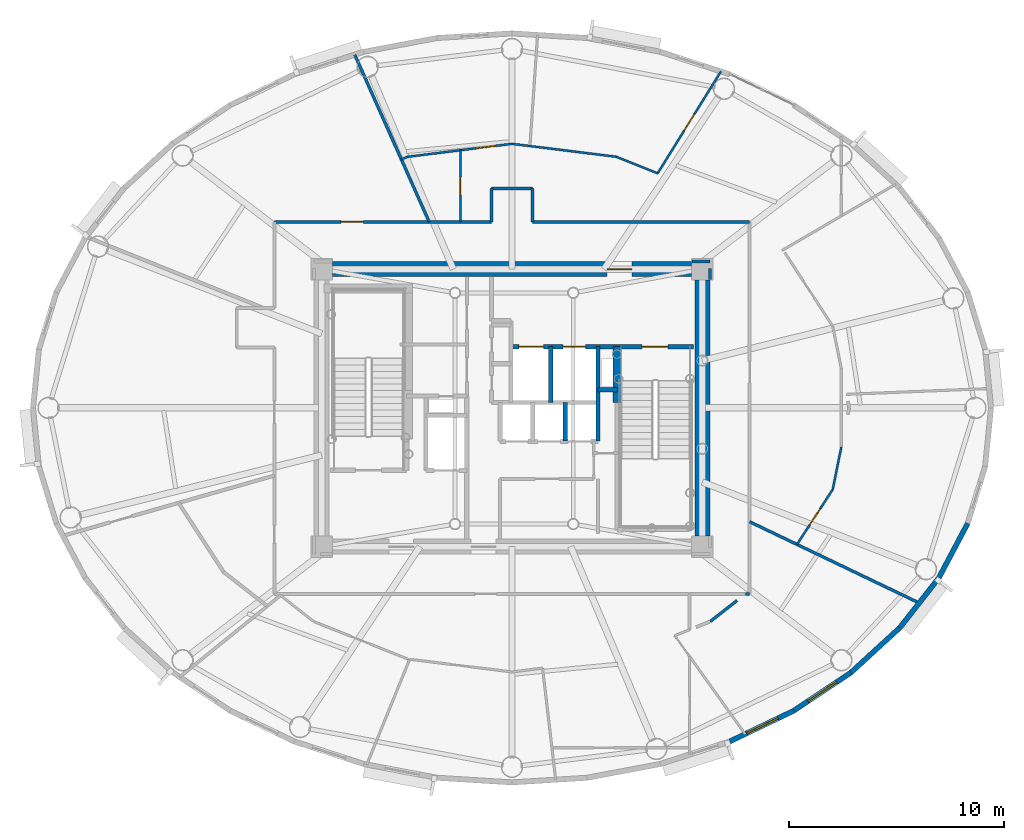
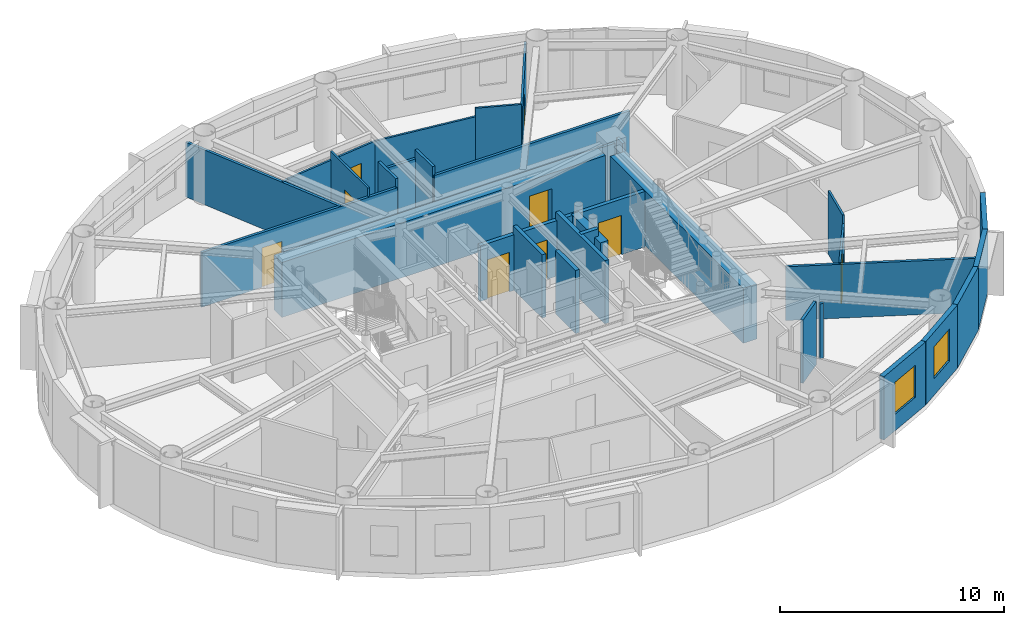
# One storey, part 9 of 17: 32 walls, 9 doors, 2 windows, 11 openings.
"""IFC4 building model written with IfcOpenShell, lengths in metres."""

import ifcopenshell
import ifcopenshell.guid

model = None  # the IFC model being written
_history = None  # IfcOwnerHistory: only IFC2X3 demands one
_inside = {}  # id of a spatial element -> (the spatial element, [elements in it])
_under = {}  # id of a project, library or spatial element -> (it, [spatial elements below it])
_declared = {}  # id of a project -> (the project, [libraries it declares])
_typed = {}  # id of a type object -> (the type object, [elements of that type])
_made_of = {}  # id of a material, layer set ... -> (it, [elements and type objects made of it])


def new_model(schema):
    """Start an empty IFC model of exactly this schema.

    Asked for "IFC4X3", IfcOpenShell would pick the latest addendum, in which some entities
    have other attributes; the version numbers below select the first issue.
    IFC2X3 requires an IfcOwnerHistory on every rooted entity: one is made here for all.
    """
    global model, _history
    if schema == "IFC4X3":
        model = ifcopenshell.file(schema_version=(4, 3, 0, 0))
    else:
        model = ifcopenshell.file(schema=schema)
    _inside.clear()
    _under.clear()
    _declared.clear()
    _typed.clear()
    _made_of.clear()
    _history = None
    if model.schema == "IFC2X3":
        org = make("IfcOrganization", Name="unknown")
        user = make(
            "IfcPersonAndOrganization",
            ThePerson=make("IfcPerson", FamilyName="unknown"),
            TheOrganization=org,
        )
        app = make(
            "IfcApplication",
            ApplicationDeveloper=org,
            Version="unknown",
            ApplicationFullName="unknown",
            ApplicationIdentifier="unknown",
        )
        _history = make(
            "IfcOwnerHistory",
            OwningUser=user,
            OwningApplication=app,
            ChangeAction="ADDED",
            CreationDate=0,
        )
    return model


def make(cls, **values):
    """One entity of the class cls with the attributes given. An attribute that is None is left unset."""
    return model.create_entity(
        cls, **{name: value for name, value in values.items() if value is not None}
    )


def rooted(cls, **values):
    """An entity with a GlobalId (a new one), such as an element, a storey or a relation."""
    return make(cls, GlobalId=ifcopenshell.guid.new(), OwnerHistory=_history, **values)


def si_unit(unit_type, name, prefix=None):
    """IfcSIUnit, for example si_unit("LENGTHUNIT", "METRE", prefix="MILLI")."""
    return make("IfcSIUnit", UnitType=unit_type, Prefix=prefix, Name=name)


def assignment(units):
    """IfcUnitAssignment: the units of a project."""
    return None if units is None else make("IfcUnitAssignment", Units=units)


def point(xyz):
    """IfcCartesianPoint."""
    return None if xyz is None else make("IfcCartesianPoint", Coordinates=xyz)


def direction(xyz):
    """IfcDirection."""
    return None if xyz is None else make("IfcDirection", DirectionRatios=xyz)


def frame(location, z_axis=None, x_axis=None):
    """IfcAxis2Placement3D, a coordinate frame: its origin and axes. An axis left out is left unset."""
    return make(
        "IfcAxis2Placement3D",
        Location=point(location),
        Axis=direction(z_axis),
        RefDirection=direction(x_axis),
    )


def frame_2d(location, x_axis=None):
    """IfcAxis2Placement2D, a coordinate frame in the plane: its origin and x axis."""
    return make(
        "IfcAxis2Placement2D", Location=point(location), RefDirection=direction(x_axis)
    )


def origin():
    """The frame at (0, 0, 0) with its axes left unset."""
    return frame((0.0, 0.0, 0.0))


def origin_2d():
    """The frame at (0, 0) in the plane with its x axis left unset."""
    return frame_2d((0.0, 0.0))


def place(relative_to, where):
    """IfcLocalPlacement: puts the frame where relative to a parent placement (None: the world)."""
    return make(
        "IfcLocalPlacement", PlacementRelTo=relative_to, RelativePlacement=where
    )


def context(
    kind, dimensions, precision=None, world=None, true_north=None, identifier=None
):
    """IfcGeometricRepresentationContext, for example the 3D "Model" context."""
    return make(
        "IfcGeometricRepresentationContext",
        ContextIdentifier=identifier,
        ContextType=kind,
        CoordinateSpaceDimension=dimensions,
        Precision=precision,
        WorldCoordinateSystem=world,
        TrueNorth=true_north,
    )


def subcontext(parent, identifier, kind, view, scale=None):
    """IfcGeometricRepresentationSubContext, for example "Body" below "Model"."""
    return make(
        "IfcGeometricRepresentationSubContext",
        ContextIdentifier=identifier,
        ContextType=kind,
        ParentContext=parent,
        TargetScale=scale,
        TargetView=view,
    )


def project(units=None, contexts=None):
    """IfcProject with its units and contexts."""
    return rooted(
        "IfcProject",
        Name="project",
        RepresentationContexts=contexts,
        UnitsInContext=assignment(units),
    )


def spatial(cls, under=None, at=None, **own):
    """A site, building, storey or space (cls), placed at a placement, below another one or the project."""
    s = rooted(cls, ObjectPlacement=at, **own)
    if under is not None:
        _under.setdefault(under.id(), (under, []))[1].append(s)
    return s


def profile(cls, at=None, kind="AREA", **sizes):
    """A parametric profile (cls). Its sizes go by their IFC names, for example OverallWidth=200.0."""
    return make(cls, ProfileType=kind, Position=at, **sizes)


def rectangle(**sizes):
    """IfcRectangleProfileDef."""
    return profile("IfcRectangleProfileDef", **sizes)


def extrude(swept, where, along, depth):
    """IfcExtrudedAreaSolid: the profile swept, set in the frame where, extruded along a direction by depth."""
    return make(
        "IfcExtrudedAreaSolid",
        SweptArea=swept,
        Position=where,
        ExtrudedDirection=direction(along),
        Depth=depth,
    )


def shape(context_of_items, identifier, shape_type, items):
    """IfcShapeRepresentation: the items that make up one representation, for example the "Body"."""
    return make(
        "IfcShapeRepresentation",
        ContextOfItems=context_of_items,
        RepresentationIdentifier=identifier,
        RepresentationType=shape_type,
        Items=items,
    )


def source(mapping_origin, context_of_items, identifier, shape_type, items):
    """IfcRepresentationMap: a shape defined once, which mapped items show again and again."""
    return make(
        "IfcRepresentationMap",
        MappingOrigin=mapping_origin,
        MappedRepresentation=shape(context_of_items, identifier, shape_type, items),
    )


def transform(
    local_origin,
    x_axis=None,
    y_axis=None,
    z_axis=None,
    scale=None,
    scale2=None,
    scale3=None,
    uniform=True,
):
    """IfcCartesianTransformationOperator3D, or its non-uniform kind. x_axis, y_axis, z_axis: its Axis1, 2, 3."""
    if uniform:
        return make(
            "IfcCartesianTransformationOperator3D",
            Axis1=direction(x_axis),
            Axis2=direction(y_axis),
            LocalOrigin=point(local_origin),
            Scale=scale,
            Axis3=direction(z_axis),
        )
    return make(
        "IfcCartesianTransformationOperator3DnonUniform",
        Axis1=direction(x_axis),
        Axis2=direction(y_axis),
        LocalOrigin=point(local_origin),
        Scale=scale,
        Axis3=direction(z_axis),
        Scale2=scale2,
        Scale3=scale3,
    )


def mapped(mapping_source, mapping_target):
    """IfcMappedItem: shows the shape of a source again, moved by a transform."""
    return make(
        "IfcMappedItem", MappingSource=mapping_source, MappingTarget=mapping_target
    )


def material(Name=None, Category=None):
    """IfcMaterial."""
    return make("IfcMaterial", Name=Name, Category=Category)


def layer(
    of_material, thickness, ventilated=None, Name=None, Category=None, Priority=None
):
    """IfcMaterialLayer: one layer of a wall or slab, of a material (None: an air gap)."""
    return make(
        "IfcMaterialLayer",
        Material=of_material,
        LayerThickness=thickness,
        IsVentilated=ventilated,
        Name=Name,
        Category=Category,
        Priority=Priority,
    )


def layer_set(layers, Name=None):
    """IfcMaterialLayerSet."""
    return make("IfcMaterialLayerSet", MaterialLayers=layers, LayerSetName=Name)


def made_of(thing, what):
    """Note that an element or type object is made of a material, layer set ...; save() writes the relation."""
    if what is not None:
        _made_of.setdefault(what.id(), (what, []))[1].append(thing)
    return thing


def type_object(cls, material=None, **own):
    """A type object (cls), such as IfcWallType, which elements share."""
    return made_of(rooted(cls, **own), material)


def element(
    cls,
    number,
    at=None,
    inside=None,
    cuts=None,
    type_object=None,
    material=None,
    context=None,
    identifier="Body",
    shape_type=None,
    held_by="IfcProductDefinitionShape",
    body=None,
    shapes=None,
    **own,
):
    """One element of the class cls, such as IfcWall. Its Tag is "e" and its number.

    at: its placement. inside: the storey or other place that contains it. cuts: it is an
    opening in that element (IfcRelVoidsElement). A single representation is given by context,
    identifier, shape_type and body (its items); several are given by shapes. held_by: the class
    of the entity that holds the representations. save() writes the other relations.
    """
    e = rooted(cls, Tag="e%d" % number, ObjectPlacement=at, **own)
    if body is not None:
        shapes = [shape(context, identifier, shape_type, body)]
    if shapes is not None:
        e.Representation = make(held_by, Representations=shapes)
    if inside is not None:
        _inside.setdefault(inside.id(), (inside, []))[1].append(e)
    if cuts is not None:
        rooted(
            "IfcRelVoidsElement", RelatingBuildingElement=cuts, RelatedOpeningElement=e
        )
    if type_object is not None:
        _typed.setdefault(type_object.id(), (type_object, []))[1].append(e)
    return made_of(e, material)


def fill(opening, filler):
    """IfcRelFillsElement: the door or window that sits in an opening."""
    return rooted(
        "IfcRelFillsElement",
        RelatingOpeningElement=opening,
        RelatedBuildingElement=filler,
    )


def aggregate(whole, parts):
    """IfcRelAggregates: a whole, such as a stair, and the parts it consists of."""
    return rooted("IfcRelAggregates", RelatingObject=whole, RelatedObjects=parts)


def save(model, path):
    """Write the relations noted so far, then the file.

    IfcRelAggregates (storeys below a building ...), IfcRelContainedInSpatialStructure (elements
    in a storey), IfcRelDefinesByType, IfcRelAssociatesMaterial and IfcRelDeclares: one each for
    every whole, place, type object, material and project.
    """
    for whole, parts in _under.values():
        aggregate(whole, parts)
    for where, things in _inside.values():
        rooted(
            "IfcRelContainedInSpatialStructure",
            RelatedElements=things,
            RelatingStructure=where,
        )
    for kind, things in _typed.values():
        rooted("IfcRelDefinesByType", RelatedObjects=things, RelatingType=kind)
    for what, things in _made_of.values():
        rooted("IfcRelAssociatesMaterial", RelatedObjects=things, RelatingMaterial=what)
    for by, libraries in _declared.values():
        rooted("IfcRelDeclares", RelatingContext=by, RelatedDefinitions=libraries)
    model.write(path)


model = new_model("IFC4")

# Units and contexts
model_context = context("Model", 3, precision=1e-05, world=origin(), true_north=direction((0.0, 1.0)))
body_context = subcontext(model_context, "Body", "Model", "MODEL_VIEW")
ifc_project = project(units=[si_unit("LENGTHUNIT", "METRE"), si_unit("AREAUNIT", "SQUARE_METRE"), si_unit("VOLUMEUNIT", "CUBIC_METRE"), si_unit("PLANEANGLEUNIT", "RADIAN"), si_unit("MASSUNIT", "GRAM", prefix="KILO")], contexts=[model_context])

# Site, building, storey
site_placement = place(None, origin())
site = spatial("IfcSite", under=ifc_project, at=site_placement, CompositionType="ELEMENT")
building_placement = place(site_placement, origin())
building = spatial("IfcBuilding", under=site, at=building_placement, Name="Linh Dai School and Residence Tower", CompositionType="ELEMENT")
storey_placement = place(building_placement, frame((0.0, 0.0, 314.25)))
storey = spatial("IfcBuildingStorey", under=building, at=storey_placement, Name="L78", CompositionType="ELEMENT", Elevation=314.25)

# Wall, opening, window
ifc_material_1 = material(Name="Precast Concrete B45 (C35/45)", Category="concrete")
ifc_layer_1 = layer(ifc_material_1, 0.239990234375)
ifc_layer_set_1 = layer_set([ifc_layer_1], Name="Precast Concrete B45 (C35/45)")
wall_type_1 = type_object("IfcWallType", Name="EW-TC-240", PredefinedType="SOLIDWALL", material=ifc_layer_set_1)
wall_1_placement = place(storey_placement, frame((49.1044921875, 12.91845703125, 0.0), z_axis=(0.0, 0.0, 1.0), x_axis=(-0.901573741254, -0.43262546051, 0.0)))
wall_1 = element("IfcWall", 1, at=wall_1_placement, inside=storey, type_object=wall_type_1, Name="L78 Terracotta Exterior Wall 34", PredefinedType="SOLIDWALL", context=body_context, shape_type="SweptSolid", body=[
    extrude(rectangle(XDim=3.306884765625, YDim=0.239990234375, at=frame_2d((1.6533203125, 0.0))), origin(), (0.0, 0.0, 1.0), 3.449951171875),
])
opening_1_placement = place(wall_1_placement, frame((0.81396484375, 0.0, 0.89990234375)))
opening_1 = element("IfcOpeningElement", 2, at=opening_1_placement, cuts=wall_1, Name="Opening W2", PredefinedType="OPENING", context=body_context, shape_type="SweptSolid", body=[
    extrude(rectangle(XDim=1.60009765625, YDim=1.75, at=origin_2d()), frame((0.800048828125, 0.1298828125, 0.875), z_axis=(0.0, -1.0, 0.0), x_axis=(1.0, 0.0, 0.0)), (0.0, 0.0, 1.0), 0.260009765625),
])
ifc_material_2 = material(Name="Double Low-E Insulated Glazing", Category="glass")
window_type = type_object("IfcWindowType", Name="WN-RES-1600x1750", PartitioningType="DOUBLE_PANEL_VERTICAL", PredefinedType="WINDOW", material=ifc_material_2)
shared_shape_1 = source(origin(), body_context, "Body", "SweptSolid", [
    extrude(rectangle(XDim=1.60009765625, YDim=1.75, at=origin_2d()), frame((0.800048828125, 0.030029296875, 0.875), z_axis=(0.0, -1.0, 0.0), x_axis=(1.0, 0.0, 0.0)), (0.0, 0.0, 1.0), 0.06005859375),
])
window_1_placement = place(opening_1_placement, origin())
window_1 = element("IfcWindow", 3, at=window_1_placement, inside=storey, type_object=window_type, Name="L78 Exterior Window 34.1", OverallHeight=1.75, OverallWidth=1.60009765625, PartitioningType="DOUBLE_PANEL_VERTICAL", PredefinedType="WINDOW", context=body_context, shape_type="MappedRepresentation", body=[
    mapped(shared_shape_1, transform((0.0, 0.0, 0.0), x_axis=(1.0, 0.0, 0.0), y_axis=(0.0, 1.0, 0.0), z_axis=(0.0, 0.0, 1.0), scale=1.0)),
])
fill(opening_1, window_1)

wall_2_placement = place(storey_placement, frame((51.76220703125, 14.69580078125, 0.0), z_axis=(0.0, 0.0, 1.0), x_axis=(-0.831250592635, -0.55589787933, 0.0)))
wall_2 = element("IfcWall", 4, at=wall_2_placement, inside=storey, type_object=wall_type_1, Name="L78 Terracotta Exterior Wall 35", PredefinedType="SOLIDWALL", context=body_context, shape_type="SweptSolid", body=[
    extrude(rectangle(XDim=3.197265625, YDim=0.239990234375, at=frame_2d((1.5986328125, 0.0))), origin(), (0.0, 0.0, 1.0), 3.449951171875),
])
opening_2_placement = place(wall_2_placement, frame((0.798583984375, 0.0, 0.89990234375)))
opening_2 = element("IfcOpeningElement", 5, at=opening_2_placement, cuts=wall_2, Name="Opening W2", PredefinedType="OPENING", context=body_context, shape_type="SweptSolid", body=[
    extrude(rectangle(XDim=1.60009765625, YDim=1.75, at=origin_2d()), frame((0.800048828125, 0.1298828125, 0.875), z_axis=(0.0, -1.0, 0.0), x_axis=(1.0, 0.0, 0.0)), (0.0, 0.0, 1.0), 0.260009765625),
])
window_2_placement = place(opening_2_placement, origin())
window_2 = element("IfcWindow", 6, at=window_2_placement, inside=storey, type_object=window_type, Name="L78 Exterior Window 35.1", OverallHeight=1.75, OverallWidth=1.60009765625, PartitioningType="DOUBLE_PANEL_VERTICAL", PredefinedType="WINDOW", context=body_context, shape_type="MappedRepresentation", body=[
    mapped(shared_shape_1, transform((0.0, 0.0, 0.0), x_axis=(1.0, 0.0, 0.0), y_axis=(0.0, 1.0, 0.0), z_axis=(0.0, 0.0, 1.0), scale=1.0)),
])
fill(opening_2, window_2)

# Walls
wall_3_placement = place(storey_placement, frame((54.0302734375, 16.775390625, 0.0), z_axis=(0.0, 0.0, 1.0), x_axis=(-0.737068506972, -0.675818034703, 0.0)))
element("IfcWall", 7, at=wall_3_placement, inside=storey, type_object=wall_type_1, Name="L78 Terracotta Exterior Wall 36", PredefinedType="SOLIDWALL", context=body_context, shape_type="SweptSolid", body=[
    extrude(rectangle(XDim=3.0771484375, YDim=0.239990234375, at=frame_2d((1.53857421875, 0.0))), origin(), (0.0, 0.0, 1.0), 3.449951171875),
])
wall_4_placement = place(storey_placement, frame((55.853759765625, 19.105224609375, 0.0), z_axis=(0.0, 0.0, 1.0), x_axis=(-0.616337186556, -0.787482363275, 0.0)))
element("IfcWall", 8, at=wall_4_placement, inside=storey, type_object=wall_type_1, Name="L78 Terracotta Exterior Wall 37", PredefinedType="SOLIDWALL", context=body_context, shape_type="SweptSolid", body=[
    extrude(rectangle(XDim=2.95849609375, YDim=0.239990234375, at=frame_2d((1.479248046875, 0.0))), origin(), (0.0, 0.0, 1.0), 3.449951171875),
])
wall_5_placement = place(storey_placement, frame((57.188232421875, 21.627685546875, 0.0), z_axis=(0.0, 0.0, 1.0), x_axis=(-0.467628269026, -0.883925224218, 0.0)))
element("IfcWall", 9, at=wall_5_placement, inside=storey, type_object=wall_type_1, Name="L78 Terracotta Exterior Wall 38", PredefinedType="SOLIDWALL", context=body_context, shape_type="SweptSolid", body=[
    extrude(rectangle(XDim=2.853759765625, YDim=0.239990234375, at=frame_2d((1.4267578125, 0.0))), origin(), (0.0, 0.0, 1.0), 3.449951171875),
])

# Wall, opening, door
ifc_material_3 = material(Name="Autoclaved Aerated Concrete Blockwork", Category="masonry")
ifc_layer_2 = layer(ifc_material_3, 0.135009765625)
ifc_layer_set_2 = layer_set([ifc_layer_2], Name="Autoclaved Aerated Concrete Blockwork")
wall_type_2 = type_object("IfcWallType", Name="IW-CORR-135-EI90", PredefinedType="PARTITIONING", material=ifc_layer_set_2)
wall_6_placement = place(storey_placement, frame((24.949951171875, 35.64990234375, 0.0), z_axis=(0.0, 0.0, 1.0), x_axis=(1.0, 0.0, 0.0)))
wall_6 = element("IfcWall", 10, at=wall_6_placement, inside=storey, type_object=wall_type_2, Name="L78 Interior Partition Wall 012", PredefinedType="PARTITIONING", context=body_context, shape_type="SweptSolid", body=[
    extrude(rectangle(XDim=10.10009765625, YDim=0.135009765625, at=frame_2d((5.050048828125, 0.0))), origin(), (0.0, 0.0, 1.0), 2.985107421875),
])
opening_3_placement = place(wall_6_placement, frame((3.094482421875, 0.0, 0.0)))
opening_3 = element("IfcOpeningElement", 11, at=opening_3_placement, cuts=wall_6, Name="Opening D04", PredefinedType="OPENING", context=body_context, shape_type="SweptSolid", body=[
    extrude(rectangle(XDim=1.050048828125, YDim=2.14990234375, at=origin_2d()), frame((0.52490234375, 0.07763671875, 1.074951171875), z_axis=(0.0, -1.0, 0.0), x_axis=(1.0, 0.0, 0.0)), (0.0, 0.0, 1.0), 0.155029296875),
])
ifc_material_4 = material(Name="Acoustic Vision-Panel Timber Classroom Door", Category="wood")
door_type_1 = type_object("IfcDoorType", Name="DR-SCH-1050x2150-FD60S", OperationType="NOTDEFINED", PredefinedType="DOOR", material=ifc_material_4)
shared_shape_2 = source(origin(), body_context, "Body", "SweptSolid", [
    extrude(rectangle(XDim=1.050048828125, YDim=2.14990234375, at=origin_2d()), frame((0.52490234375, 0.02490234375, 1.074951171875), z_axis=(0.0, -1.0, 0.0), x_axis=(1.0, 0.0, 0.0)), (0.0, 0.0, 1.0), 0.050048828125),
])
door_1_placement = place(opening_3_placement, origin())
door_1 = element("IfcDoor", 12, at=door_1_placement, inside=storey, type_object=door_type_1, Name="L78 High-Zone Resident Gallery Door", OperationType="SINGLE_SWING_RIGHT", OverallHeight=2.14990234375, OverallWidth=1.050048828125, PredefinedType="DOOR", context=body_context, shape_type="MappedRepresentation", body=[
    mapped(shared_shape_2, transform((0.0, 0.0, 0.0), x_axis=(1.0, 0.0, 0.0), y_axis=(0.0, 1.0, 0.0), z_axis=(0.0, 0.0, 1.0), scale=1.0)),
])
fill(opening_3, door_1)

# Walls
wall_7_placement = place(storey_placement, frame((28.685546875, 43.428466796875, 0.0), z_axis=(0.0, 0.0, 1.0), x_axis=(0.406736980157, -0.913545307564, 0.0)))
element("IfcWall", 13, at=wall_7_placement, inside=storey, type_object=wall_type_2, Name="L78 Interior Partition Wall 016", PredefinedType="PARTITIONING", context=body_context, shape_type="SweptSolid", body=[
    extrude(rectangle(XDim=8.514404296875, YDim=0.135009765625, at=frame_2d((4.25732421875, 0.0))), origin(), (0.0, 0.0, 1.0), 2.985107421875),
])
wall_8_placement = place(storey_placement, frame((35.050048828125, 35.64990234375, 0.0), z_axis=(0.0, 0.0, 1.0), x_axis=(0.0, 1.0, 0.0)))
element("IfcWall", 14, at=wall_8_placement, inside=storey, type_object=wall_type_2, Name="L78 Interior Partition Wall 036", PredefinedType="PARTITIONING", context=body_context, shape_type="SweptSolid", body=[
    extrude(rectangle(XDim=1.550048828125, YDim=0.135009765625, at=frame_2d((0.77490234375, 0.0))), origin(), (0.0, 0.0, 1.0), 3.449951171875),
])
wall_9_placement = place(storey_placement, frame((35.050048828125, 37.199951171875, 0.0), z_axis=(0.0, 0.0, 1.0), x_axis=(1.0, 0.0, 0.0)))
element("IfcWall", 15, at=wall_9_placement, inside=storey, type_object=wall_type_2, Name="L78 Interior Partition Wall 037", PredefinedType="PARTITIONING", context=body_context, shape_type="SweptSolid", body=[
    extrude(rectangle(XDim=1.89990234375, YDim=0.135009765625, at=frame_2d((0.949951171875, 0.0))), origin(), (0.0, 0.0, 1.0), 2.985107421875),
])
wall_10_placement = place(storey_placement, frame((36.949951171875, 35.64990234375, 0.0), z_axis=(0.0, 0.0, 1.0), x_axis=(0.0, 1.0, 0.0)))
element("IfcWall", 16, at=wall_10_placement, inside=storey, type_object=wall_type_2, Name="L78 Interior Partition Wall 047", PredefinedType="PARTITIONING", context=body_context, shape_type="SweptSolid", body=[
    extrude(rectangle(XDim=1.550048828125, YDim=0.135009765625, at=frame_2d((0.77490234375, 0.0))), origin(), (0.0, 0.0, 1.0), 3.449951171875),
])
wall_11_placement = place(storey_placement, frame((36.949951171875, 35.64990234375, 0.0), z_axis=(0.0, 0.0, 1.0), x_axis=(1.0, 0.0, 0.0)))
element("IfcWall", 17, at=wall_11_placement, inside=storey, type_object=wall_type_2, Name="L78 Interior Partition Wall 048", PredefinedType="PARTITIONING", context=body_context, shape_type="SweptSolid", body=[
    extrude(rectangle(XDim=10.10009765625, YDim=0.135009765625, at=frame_2d((5.050048828125, 0.0))), origin(), (0.0, 0.0, 1.0), 2.985107421875),
])
wall_12_placement = place(storey_placement, frame((46.855224609375, 18.35009765625, 0.0), z_axis=(0.0, 0.0, 1.0), x_axis=(1.0, 0.0, 0.0)))
element("IfcWall", 18, at=wall_12_placement, inside=storey, type_object=wall_type_2, Name="L78 Interior Partition Wall 065", PredefinedType="PARTITIONING", context=body_context, shape_type="SweptSolid", body=[
    extrude(rectangle(XDim=0.19482421875, YDim=0.135009765625, at=frame_2d((0.097412109375, 0.0))), origin(), (0.0, 0.0, 1.0), 2.985107421875),
])
wall_13_placement = place(storey_placement, frame((47.050048828125, 21.7060546875, 0.0), z_axis=(0.0, 0.0, 1.0), x_axis=(0.901842087785, -0.432065792096, 0.0)))
element("IfcWall", 19, at=wall_13_placement, inside=storey, type_object=wall_type_2, Name="L78 Interior Partition Wall 067", PredefinedType="PARTITIONING", context=body_context, shape_type="SweptSolid", body=[
    extrude(rectangle(XDim=8.74658203125, YDim=0.135009765625, at=frame_2d((4.373291015625, 0.0))), origin(), (0.0, 0.0, 1.0), 2.93505859375),
])
wall_14_placement = place(storey_placement, frame((45.199951171875, 33.800048828125, 0.0), z_axis=(0.0, 0.0, 1.0), x_axis=(-1.0, 0.0, 0.0)))
element("IfcWall", 20, at=wall_14_placement, inside=storey, type_object=wall_type_2, Name="L78 Interior Partition Wall 078", PredefinedType="PARTITIONING", context=body_context, shape_type="SweptSolid", body=[
    extrude(rectangle(XDim=0.83984375, YDim=0.135009765625, at=frame_2d((0.419921875, 0.0))), origin(), (0.0, 0.0, 1.0), 2.985107421875),
])
wall_15_placement = place(storey_placement, frame((45.199951171875, 32.9599609375, 0.0), z_axis=(0.0, 0.0, 1.0), x_axis=(0.0, 1.0, 0.0)))
element("IfcWall", 21, at=wall_15_placement, inside=storey, type_object=wall_type_2, Name="L78 Interior Partition Wall 085", PredefinedType="PARTITIONING", context=body_context, shape_type="SweptSolid", body=[
    extrude(rectangle(XDim=0.532470703125, YDim=0.135009765625, at=frame_2d((0.26611328125, 0.0))), origin(), (0.0, 0.0, 1.0), 3.449951171875),
])
wall_16_placement = place(storey_placement, frame((45.216552734375, 17.06689453125, 0.0), z_axis=(0.0, 0.0, 1.0), x_axis=(0.787329157173, 0.616532884982, 0.0)))
element("IfcWall", 22, at=wall_16_placement, inside=storey, type_object=wall_type_2, Name="L78 Interior Partition Wall 088", PredefinedType="PARTITIONING", context=body_context, shape_type="SweptSolid", body=[
    extrude(rectangle(XDim=1.582275390625, YDim=0.135009765625, at=frame_2d((0.791015625, 0.0))), origin(), (0.0, 0.0, 1.0), 3.449951171875),
])

# Wall, openings, doors
ifc_material_5 = material(Name="Concrete B45 (C35/45)", Category="concrete")
ifc_layer_3 = layer(ifc_material_5, 0.199951171875)
ifc_layer_set_3 = layer_set([ifc_layer_3], Name="Concrete B45 (C35/45)")
wall_type_3 = type_object("IfcWallType", Name="IW-SHAFT-200-EI120", PredefinedType="PARTITIONING", material=ifc_layer_set_3)
wall_17_placement = place(storey_placement, frame((35.949951171875, 29.85009765625, 0.0), z_axis=(0.0, 0.0, 1.0), x_axis=(1.0, 0.0, 0.0)))
wall_17 = element("IfcWall", 23, at=wall_17_placement, inside=storey, type_object=wall_type_3, Name="L78 Interior Partition Wall 043", PredefinedType="PARTITIONING", context=body_context, shape_type="SweptSolid", body=[
    extrude(rectangle(XDim=8.489990234375, YDim=0.199951171875, at=frame_2d((4.2451171875, 0.0))), origin(), (0.0, 0.0, 1.0), 3.034912109375),
])
opening_4_placement = place(wall_17_placement, frame((6.10009765625, 0.0, 0.0)))
opening_4 = element("IfcOpeningElement", 24, at=opening_4_placement, cuts=wall_17, Name="Opening D01", PredefinedType="OPENING", context=body_context, shape_type="SweptSolid", body=[
    extrude(rectangle(XDim=1.199951171875, YDim=2.14990234375, at=origin_2d()), frame((0.60009765625, 0.10986328125, 1.074951171875), z_axis=(0.0, -1.0, 0.0), x_axis=(1.0, 0.0, 0.0)), (0.0, 0.0, 1.0), 0.219970703125),
])
opening_5_placement = place(wall_17_placement, frame((0.3701171875, 0.0, 0.0)))
opening_5 = element("IfcOpeningElement", 25, at=opening_5_placement, cuts=wall_17, Name="Opening LD-FF1", PredefinedType="OPENING", context=body_context, shape_type="SweptSolid", body=[
    extrude(rectangle(XDim=1.14990234375, YDim=2.14990234375, at=origin_2d()), frame((0.574951171875, 0.10986328125, 1.074951171875), z_axis=(0.0, -1.0, 0.0), x_axis=(1.0, 0.0, 0.0)), (0.0, 0.0, 1.0), 0.219970703125),
])
opening_6_placement = place(wall_17_placement, frame((2.425048828125, 0.0, 0.0)))
opening_6 = element("IfcOpeningElement", 26, at=opening_6_placement, cuts=wall_17, Name="Opening LD-SV1", PredefinedType="OPENING", context=body_context, shape_type="SweptSolid", body=[
    extrude(rectangle(XDim=1.050048828125, YDim=2.14990234375, at=origin_2d()), frame((0.52490234375, 0.10986328125, 1.074951171875), z_axis=(0.0, -1.0, 0.0), x_axis=(1.0, 0.0, 0.0)), (0.0, 0.0, 1.0), 0.219970703125),
])
ifc_material_6 = material(Name="Fire-Rated Steel Door Leaf", Category="steel")
door_type_2 = type_object("IfcDoorType", Name="DR-STAIR-1200x2150-FD90S", OperationType="NOTDEFINED", PredefinedType="DOOR", material=ifc_material_6)
shared_shape_3 = source(origin(), body_context, "Body", "SweptSolid", [
    extrude(rectangle(XDim=1.199951171875, YDim=2.14990234375, at=origin_2d()), frame((0.60009765625, 0.02490234375, 1.074951171875), z_axis=(0.0, -1.0, 0.0), x_axis=(1.0, 0.0, 0.0)), (0.0, 0.0, 1.0), 0.050048828125),
])
door_2_placement = place(opening_4_placement, origin())
door_2 = element("IfcDoor", 27, at=door_2_placement, inside=storey, type_object=door_type_2, Name="L78 Core Smokeproof Exit Stair ST2 Door", OperationType="SINGLE_SWING_LEFT", OverallHeight=2.14990234375, OverallWidth=1.199951171875, PredefinedType="DOOR", context=body_context, shape_type="MappedRepresentation", body=[
    mapped(shared_shape_3, transform((0.0, 0.0, 0.0), x_axis=(1.0, 0.0, 0.0), y_axis=(0.0, 1.0, 0.0), z_axis=(0.0, 0.0, 1.0), scale=1.0)),
])
fill(opening_4, door_2)
ifc_material_7 = material(Name="Fire-Rated Stainless Steel Firefighting Lift Door", Category="steel")
door_type_3 = type_object("IfcDoorType", Name="DR-LD-FF-1150x2150-FD120", OperationType="DOUBLE_DOOR_SLIDING", PredefinedType="USERDEFINED", material=ifc_material_7)
shared_shape_4 = source(origin(), body_context, "Body", "SweptSolid", [
    extrude(rectangle(XDim=1.14990234375, YDim=2.14990234375, at=origin_2d()), frame((0.574951171875, 0.02490234375, 1.074951171875), z_axis=(0.0, -1.0, 0.0), x_axis=(1.0, 0.0, 0.0)), (0.0, 0.0, 1.0), 0.050048828125),
])
door_3_placement = place(opening_5_placement, origin())
door_3 = element("IfcDoor", 28, at=door_3_placement, inside=storey, type_object=door_type_3, Name="L78 Lift FF1 Sliding Landing Door", ObjectType="LANDING DOOR", OperationType="DOUBLE_DOOR_SLIDING", OverallHeight=2.14990234375, OverallWidth=1.14990234375, PredefinedType="USERDEFINED", context=body_context, shape_type="MappedRepresentation", body=[
    mapped(shared_shape_4, transform((0.0, 0.0, 0.0), x_axis=(1.0, 0.0, 0.0), y_axis=(0.0, 1.0, 0.0), z_axis=(0.0, 0.0, 1.0), scale=1.0)),
])
fill(opening_5, door_3)
ifc_material_8 = material(Name="Brushed Stainless Steel Lift Landing Door", Category="steel")
door_type_4 = type_object("IfcDoorType", Name="DR-LD-PASS-1050x2150", OperationType="DOUBLE_DOOR_SLIDING", PredefinedType="USERDEFINED", material=ifc_material_8)
shared_shape_5 = source(origin(), body_context, "Body", "SweptSolid", [
    extrude(rectangle(XDim=1.050048828125, YDim=2.14990234375, at=origin_2d()), frame((0.52490234375, 0.02490234375, 1.074951171875), z_axis=(0.0, -1.0, 0.0), x_axis=(1.0, 0.0, 0.0)), (0.0, 0.0, 1.0), 0.050048828125),
])
door_4_placement = place(opening_6_placement, origin())
door_4 = element("IfcDoor", 29, at=door_4_placement, inside=storey, type_object=door_type_4, Name="L78 Lift SV1 Sliding Landing Door", ObjectType="LANDING DOOR", OperationType="DOUBLE_DOOR_SLIDING", OverallHeight=2.14990234375, OverallWidth=1.050048828125, PredefinedType="USERDEFINED", context=body_context, shape_type="MappedRepresentation", body=[
    mapped(shared_shape_5, transform((0.0, 0.0, 0.0), x_axis=(1.0, 0.0, 0.0), y_axis=(0.0, 1.0, 0.0), z_axis=(0.0, 0.0, 1.0), scale=1.0)),
])
fill(opening_6, door_4)

# Walls
wall_18_placement = place(storey_placement, frame((37.800048828125, 27.25, 0.0), z_axis=(0.0, 0.0, 1.0), x_axis=(0.0, 1.0, 0.0)))
element("IfcWall", 30, at=wall_18_placement, inside=storey, type_object=wall_type_3, Name="L78 Interior Partition Wall 051", PredefinedType="PARTITIONING", context=body_context, shape_type="SweptSolid", body=[
    extrude(rectangle(XDim=2.60009765625, YDim=0.199951171875, at=frame_2d((1.300048828125, 0.0))), origin(), (0.0, 0.0, 1.0), 3.449951171875),
])
wall_19_placement = place(storey_placement, frame((38.47998046875, 25.449951171875, 0.0), z_axis=(0.0, 0.0, 1.0), x_axis=(0.0, 1.0, 0.0)))
element("IfcWall", 31, at=wall_19_placement, inside=storey, type_object=wall_type_3, Name="L78 Interior Partition Wall 053", PredefinedType="PARTITIONING", context=body_context, shape_type="SweptSolid", body=[
    extrude(rectangle(XDim=1.800048828125, YDim=0.199951171875, at=frame_2d((0.89990234375, 0.0))), origin(), (0.0, 0.0, 1.0), 3.449951171875),
])
wall_20_placement = place(storey_placement, frame((40.0, 25.449951171875, 0.0), z_axis=(0.0, 0.0, 1.0), x_axis=(0.0, 1.0, 0.0)))
element("IfcWall", 32, at=wall_20_placement, inside=storey, type_object=wall_type_3, Name="L78 Interior Partition Wall 056", PredefinedType="PARTITIONING", context=body_context, shape_type="SweptSolid", body=[
    extrude(rectangle(XDim=4.400146484375, YDim=0.199951171875, at=frame_2d((2.2001953125, 0.0))), origin(), (0.0, 0.0, 1.0), 3.449951171875),
])
wall_21_placement = place(storey_placement, frame((40.0, 27.85009765625, 0.0), z_axis=(0.0, 0.0, 1.0), x_axis=(1.0, 0.0, 0.0)))
element("IfcWall", 33, at=wall_21_placement, inside=storey, type_object=wall_type_3, Name="L78 Interior Partition Wall 057", PredefinedType="PARTITIONING", context=body_context, shape_type="SweptSolid", body=[
    extrude(rectangle(XDim=0.89990234375, YDim=0.199951171875, at=frame_2d((0.449951171875, 0.0))), origin(), (0.0, 0.0, 1.0), 3.449951171875),
])
ifc_material_9 = material(Name="Gypsum Plasterboard Acoustic Stud Partition", Category="masonry")
ifc_layer_4 = layer(ifc_material_9, 0.10009765625)
ifc_layer_set_4 = layer_set([ifc_layer_4], Name="Gypsum Plasterboard Acoustic Stud Partition")
wall_type_4 = type_object("IfcWallType", Name="IW-UNIT-100", PredefinedType="PARTITIONING", material=ifc_layer_set_4)
wall_22_placement = place(storey_placement, frame((30.854248046875, 38.557373046875, 0.0), z_axis=(0.0, 0.0, 1.0), x_axis=(0.928996661722, 0.370088101011, 0.0)))
element("IfcWall", 34, at=wall_22_placement, inside=storey, type_object=wall_type_4, Name="L78 Interior Partition Wall 019", PredefinedType="PARTITIONING", context=body_context, shape_type="SweptSolid", body=[
    extrude(rectangle(XDim=0.3232421875, YDim=0.10009765625, at=frame_2d((0.16162109375, 0.0))), origin(), (0.0, 0.0, 1.0), 2.985107421875),
])

# Wall, opening, door
wall_23_placement = place(storey_placement, frame((31.154541015625, 38.677001953125, 0.0), z_axis=(0.0, 0.0, 1.0), x_axis=(0.99239360053, 0.123105408601, 0.0)))
wall_23 = element("IfcWall", 35, at=wall_23_placement, inside=storey, type_object=wall_type_4, Name="L78 Interior Partition Wall 022", PredefinedType="PARTITIONING", context=body_context, shape_type="SweptSolid", body=[
    extrude(rectangle(XDim=4.882568359375, YDim=0.10009765625, at=frame_2d((2.44140625, 0.0))), origin(), (0.0, 0.0, 1.0), 2.985107421875),
])
opening_7_placement = place(wall_23_placement, frame((3.202880859375, 0.0, 0.0)))
opening_7 = element("IfcOpeningElement", 36, at=opening_7_placement, cuts=wall_23, Name="Opening D05", PredefinedType="OPENING", context=body_context, shape_type="SweptSolid", body=[
    extrude(rectangle(XDim=0.89990234375, YDim=2.10009765625, at=origin_2d()), frame((0.449951171875, 0.06005859375, 1.050048828125), z_axis=(0.0, -1.0, 0.0), x_axis=(1.0, 0.0, 0.0)), (0.0, 0.0, 1.0), 0.1201171875),
])
ifc_material_10 = material(Name="Engineered Timber Internal Door", Category="wood")
door_type_5 = type_object("IfcDoorType", Name="DR-INT-900x2100", OperationType="NOTDEFINED", PredefinedType="DOOR", material=ifc_material_10)
shared_shape_6 = source(origin(), body_context, "Body", "SweptSolid", [
    extrude(rectangle(XDim=0.89990234375, YDim=2.10009765625, at=origin_2d()), frame((0.449951171875, 0.02490234375, 1.050048828125), z_axis=(0.0, -1.0, 0.0), x_axis=(1.0, 0.0, 0.0)), (0.0, 0.0, 1.0), 0.050048828125),
])
door_5_placement = place(opening_7_placement, origin())
door_5 = element("IfcDoor", 37, at=door_5_placement, inside=storey, type_object=door_type_5, Name="L78 Apartment U7802 Bedroom 4 Door", OperationType="SINGLE_SWING_RIGHT", OverallHeight=2.10009765625, OverallWidth=0.89990234375, PredefinedType="DOOR", context=body_context, shape_type="MappedRepresentation", body=[
    mapped(shared_shape_6, transform((0.0, 0.0, 0.0), x_axis=(1.0, 0.0, 0.0), y_axis=(0.0, 1.0, 0.0), z_axis=(0.0, 0.0, 1.0), scale=1.0)),
])
fill(opening_7, door_5)

wall_24_placement = place(storey_placement, frame((33.59912109375, 35.64990234375, 0.0), z_axis=(0.0, 0.0, 1.0), x_axis=(0.0, 1.0, 0.0)))
wall_24 = element("IfcWall", 38, at=wall_24_placement, inside=storey, type_object=wall_type_4, Name="L78 Interior Partition Wall 027", PredefinedType="PARTITIONING", context=body_context, shape_type="SweptSolid", body=[
    extrude(rectangle(XDim=3.330322265625, YDim=0.10009765625, at=frame_2d((1.6650390625, 0.0))), origin(), (0.0, 0.0, 1.0), 3.449951171875),
])
opening_8_placement = place(wall_24_placement, frame((1.255126953125, 0.0, 0.0)))
opening_8 = element("IfcOpeningElement", 39, at=opening_8_placement, cuts=wall_24, Name="Opening D06", PredefinedType="OPENING", context=body_context, shape_type="SweptSolid", body=[
    extrude(rectangle(XDim=0.820068359375, YDim=2.10009765625, at=origin_2d()), frame((0.41015625, 0.06005859375, 1.050048828125), z_axis=(0.0, -1.0, 0.0), x_axis=(1.0, 0.0, 0.0)), (0.0, 0.0, 1.0), 0.1201171875),
])
ifc_material_11 = material(Name="Moisture-Resistant Timber Bathroom Door", Category="wood")
door_type_6 = type_object("IfcDoorType", Name="DR-WET-820x2100", OperationType="NOTDEFINED", PredefinedType="DOOR", material=ifc_material_11)
shared_shape_7 = source(origin(), body_context, "Body", "SweptSolid", [
    extrude(rectangle(XDim=0.820068359375, YDim=2.10009765625, at=origin_2d()), frame((0.41015625, 0.02490234375, 1.050048828125), z_axis=(0.0, -1.0, 0.0), x_axis=(1.0, 0.0, 0.0)), (0.0, 0.0, 1.0), 0.050048828125),
])
door_6_placement = place(opening_8_placement, origin())
door_6 = element("IfcDoor", 40, at=door_6_placement, inside=storey, type_object=door_type_6, Name="L78 Apartment U7802 Bathroom 1 Door", OperationType="SINGLE_SWING_LEFT", OverallHeight=2.10009765625, OverallWidth=0.820068359375, PredefinedType="DOOR", context=body_context, shape_type="MappedRepresentation", body=[
    mapped(shared_shape_7, transform((0.0, 0.0, 0.0), x_axis=(1.0, 0.0, 0.0), y_axis=(0.0, 1.0, 0.0), z_axis=(0.0, 0.0, 1.0), scale=1.0)),
])
fill(opening_8, door_6)

# Walls
wall_25_placement = place(storey_placement, frame((36.0, 39.278076171875, 0.0), z_axis=(0.0, 0.0, 1.0), x_axis=(0.992394358254, -0.123099300182, 0.0)))
element("IfcWall", 41, at=wall_25_placement, inside=storey, type_object=wall_type_4, Name="L78 Interior Partition Wall 045", PredefinedType="PARTITIONING", context=body_context, shape_type="SweptSolid", body=[
    extrude(rectangle(XDim=4.8828125, YDim=0.10009765625, at=frame_2d((2.44140625, 0.0))), origin(), (0.0, 0.0, 1.0), 2.985107421875),
])
wall_26_placement = place(storey_placement, frame((40.845458984375, 38.677001953125, 0.0), z_axis=(0.0, 0.0, 1.0), x_axis=(0.928792693453, -0.370599693184, 0.0)))
element("IfcWall", 42, at=wall_26_placement, inside=storey, type_object=wall_type_4, Name="L78 Interior Partition Wall 058", PredefinedType="PARTITIONING", context=body_context, shape_type="SweptSolid", body=[
    extrude(rectangle(XDim=2.07568359375, YDim=0.10009765625, at=frame_2d((1.037841796875, 0.0))), origin(), (0.0, 0.0, 1.0), 3.449951171875),
])

# Wall, opening, door
wall_27_placement = place(storey_placement, frame((42.7734375, 37.90771484375, 0.0), z_axis=(0.0, 0.0, 1.0), x_axis=(0.527527282505, 0.849538089913, 0.0)))
wall_27 = element("IfcWall", 43, at=wall_27_placement, inside=storey, type_object=wall_type_4, Name="L78 Interior Partition Wall 061", PredefinedType="PARTITIONING", context=body_context, shape_type="SweptSolid", body=[
    extrude(rectangle(XDim=5.580810546875, YDim=0.10009765625, at=frame_2d((2.79052734375, 0.0))), origin(), (0.0, 0.0, 1.0), 2.93505859375),
])
opening_9_placement = place(wall_27_placement, frame((2.34033203125, 0.0, 0.0)))
opening_9 = element("IfcOpeningElement", 44, at=opening_9_placement, cuts=wall_27, Name="Opening D05", PredefinedType="OPENING", context=body_context, shape_type="SweptSolid", body=[
    extrude(rectangle(XDim=0.89990234375, YDim=2.10009765625, at=origin_2d()), frame((0.449951171875, 0.06005859375, 1.050048828125), z_axis=(0.0, -1.0, 0.0), x_axis=(1.0, 0.0, 0.0)), (0.0, 0.0, 1.0), 0.1201171875),
])
door_7_placement = place(opening_9_placement, origin())
door_7 = element("IfcDoor", 45, at=door_7_placement, inside=storey, type_object=door_type_5, Name="L78 Apartment U7802 Principal Bedroom 3 Door", OperationType="SINGLE_SWING_LEFT", OverallHeight=2.10009765625, OverallWidth=0.89990234375, PredefinedType="DOOR", context=body_context, shape_type="MappedRepresentation", body=[
    mapped(shared_shape_6, transform((0.0, 0.0, 0.0), x_axis=(1.0, 0.0, 0.0), y_axis=(0.0, 1.0, 0.0), z_axis=(0.0, 0.0, 1.0), scale=1.0)),
])
fill(opening_9, door_7)

wall_28_placement = place(storey_placement, frame((49.25048828125, 20.65185546875, 0.0), z_axis=(0.0, 0.0, 1.0), x_axis=(0.54545856642, 0.838137788385, 0.0)))
wall_28 = element("IfcWall", 46, at=wall_28_placement, inside=storey, type_object=wall_type_4, Name="L78 Interior Partition Wall 070", PredefinedType="PARTITIONING", context=body_context, shape_type="SweptSolid", body=[
    extrude(rectangle(XDim=3.047119140625, YDim=0.10009765625, at=frame_2d((1.5234375, 0.0))), origin(), (0.0, 0.0, 1.0), 2.985107421875),
])
opening_10_placement = place(wall_28_placement, frame((1.073486328125, 0.0, 0.0)))
opening_10 = element("IfcOpeningElement", 47, at=opening_10_placement, cuts=wall_28, Name="Opening D05", PredefinedType="OPENING", context=body_context, shape_type="SweptSolid", body=[
    extrude(rectangle(XDim=0.89990234375, YDim=2.10009765625, at=origin_2d()), frame((0.449951171875, 0.06005859375, 1.050048828125), z_axis=(0.0, -1.0, 0.0), x_axis=(1.0, 0.0, 0.0)), (0.0, 0.0, 1.0), 0.1201171875),
])
door_8_placement = place(opening_10_placement, origin())
door_8 = element("IfcDoor", 48, at=door_8_placement, inside=storey, type_object=door_type_5, Name="L78 Apartment U7802 Principal Bedroom 1 Door", OperationType="SINGLE_SWING_LEFT", OverallHeight=2.10009765625, OverallWidth=0.89990234375, PredefinedType="DOOR", context=body_context, shape_type="MappedRepresentation", body=[
    mapped(shared_shape_6, transform((0.0, 0.0, 0.0), x_axis=(1.0, 0.0, 0.0), y_axis=(0.0, 1.0, 0.0), z_axis=(0.0, 0.0, 1.0), scale=1.0)),
])
fill(opening_10, door_8)

# Walls
wall_29_placement = place(storey_placement, frame((50.91259765625, 23.205810546875, 0.0), z_axis=(0.0, 0.0, 1.0), x_axis=(0.198192944621, 0.980163025574, 0.0)))
element("IfcWall", 49, at=wall_29_placement, inside=storey, type_object=wall_type_4, Name="L78 Interior Partition Wall 071", PredefinedType="PARTITIONING", context=body_context, shape_type="SweptSolid", body=[
    extrude(rectangle(XDim=2.011474609375, YDim=0.10009765625, at=frame_2d((1.005859375, 0.0))), origin(), (0.0, 0.0, 1.0), 3.449951171875),
])
ifc_layer_5 = layer(ifc_material_5, 0.39990234375)
ifc_layer_set_5 = layer_set([ifc_layer_5], Name="Concrete B45 (C35/45)")
wall_type_5 = type_object("IfcWallType", Name="WL-CORE400", PredefinedType="SHEAR", material=ifc_layer_set_5)
wall_30_placement = place(storey_placement, frame((40.89990234375, 27.25, 0.0), z_axis=(0.0, 0.0, 1.0), x_axis=(0.0, 1.0, 0.0)))
element("IfcWall", 50, at=wall_30_placement, inside=storey, type_object=wall_type_5, Name="L78 Internal Core Shear Wall IE", PredefinedType="SHEAR", context=body_context, shape_type="SweptSolid", body=[
    extrude(rectangle(XDim=2.60009765625, YDim=0.39990234375, at=frame_2d((1.300048828125, 0.0))), origin(), (0.0, 0.0, 1.0), 3.050048828125),
])

# Wall, opening, door
ifc_layer_6 = layer(ifc_material_5, 0.699951171875)
ifc_layer_set_6 = layer_set([ifc_layer_6], Name="Concrete B45 (C35/45)")
wall_type_6 = type_object("IfcWallType", Name="WL-CORE700", PredefinedType="SHEAR", material=ifc_layer_set_6)
wall_31_placement = place(storey_placement, frame((27.64990234375, 33.449951171875, 0.0), z_axis=(0.0, 0.0, 1.0), x_axis=(1.0, 0.0, 0.0)))
wall_31 = element("IfcWall", 51, at=wall_31_placement, inside=storey, type_object=wall_type_6, Name="L78 Central Core Shear Wall N", PredefinedType="SHEAR", context=body_context, shape_type="SweptSolid", body=[
    extrude(rectangle(XDim=16.7001953125, YDim=0.699951171875, at=frame_2d((8.35009765625, 0.0))), origin(), (0.0, 0.0, 1.0), 3.0),
])
opening_11_placement = place(wall_31_placement, frame((12.77490234375, 0.0, 0.0)))
opening_11 = element("IfcOpeningElement", 52, at=opening_11_placement, cuts=wall_31, Name="Opening D02", PredefinedType="OPENING", context=body_context, shape_type="SweptSolid", body=[
    extrude(rectangle(XDim=1.14990234375, YDim=2.14990234375, at=origin_2d()), frame((0.574951171875, 0.35986328125, 1.074951171875), z_axis=(0.0, -1.0, 0.0), x_axis=(1.0, 0.0, 0.0)), (0.0, 0.0, 1.0), 0.719970703125),
])
ifc_material_12 = material(Name="Fire-Rated Glazed Steel Lobby Door", Category="steel")
door_type_7 = type_object("IfcDoorType", Name="DR-LOBBY-1150x2150-FD90S", OperationType="NOTDEFINED", PredefinedType="DOOR", material=ifc_material_12)
shared_shape_8 = source(origin(), body_context, "Body", "SweptSolid", [
    extrude(rectangle(XDim=1.14990234375, YDim=2.14990234375, at=origin_2d()), frame((0.574951171875, 0.02490234375, 1.074951171875), z_axis=(0.0, -1.0, 0.0), x_axis=(1.0, 0.0, 0.0)), (0.0, 0.0, 1.0), 0.050048828125),
])
door_9_placement = place(opening_11_placement, origin())
door_9 = element("IfcDoor", 53, at=door_9_placement, inside=storey, type_object=door_type_7, Name="L78 Firefighting Lobby Door", OperationType="SINGLE_SWING_RIGHT", OverallHeight=2.14990234375, OverallWidth=1.14990234375, PredefinedType="DOOR", context=body_context, shape_type="MappedRepresentation", body=[
    mapped(shared_shape_8, transform((0.0, 0.0, 0.0), x_axis=(1.0, 0.0, 0.0), y_axis=(0.0, 1.0, 0.0), z_axis=(0.0, 0.0, 1.0), scale=1.0)),
])
fill(opening_11, door_9)

# Wall
wall_32_placement = place(storey_placement, frame((44.85009765625, 32.949951171875, 0.0), z_axis=(0.0, 0.0, 1.0), x_axis=(0.0, -1.0, 0.0)))
element("IfcWall", 54, at=wall_32_placement, inside=storey, type_object=wall_type_6, Name="L78 Central Core Shear Wall E", PredefinedType="SHEAR", context=body_context, shape_type="SweptSolid", body=[
    extrude(rectangle(XDim=11.89990234375, YDim=0.699951171875, at=frame_2d((5.949951171875, 0.0))), origin(), (0.0, 0.0, 1.0), 3.0),
])

save(model, "model.ifc")
